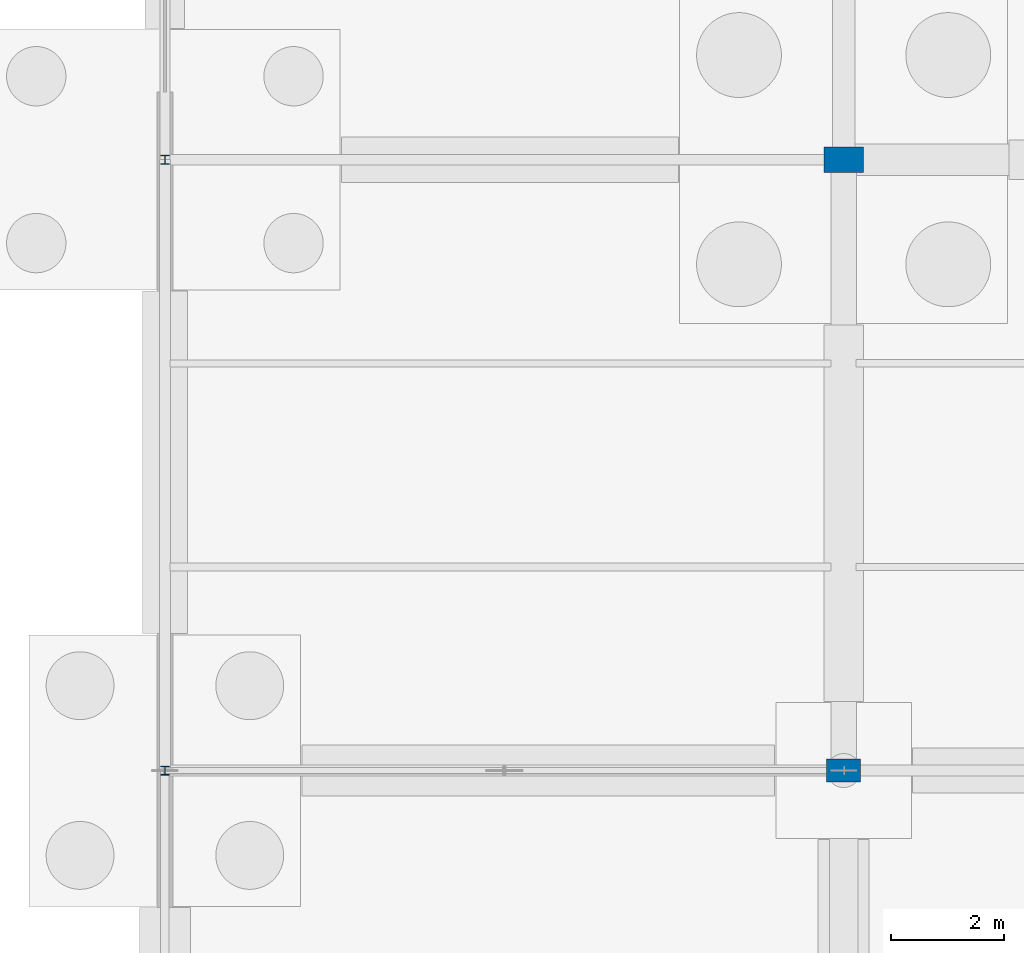
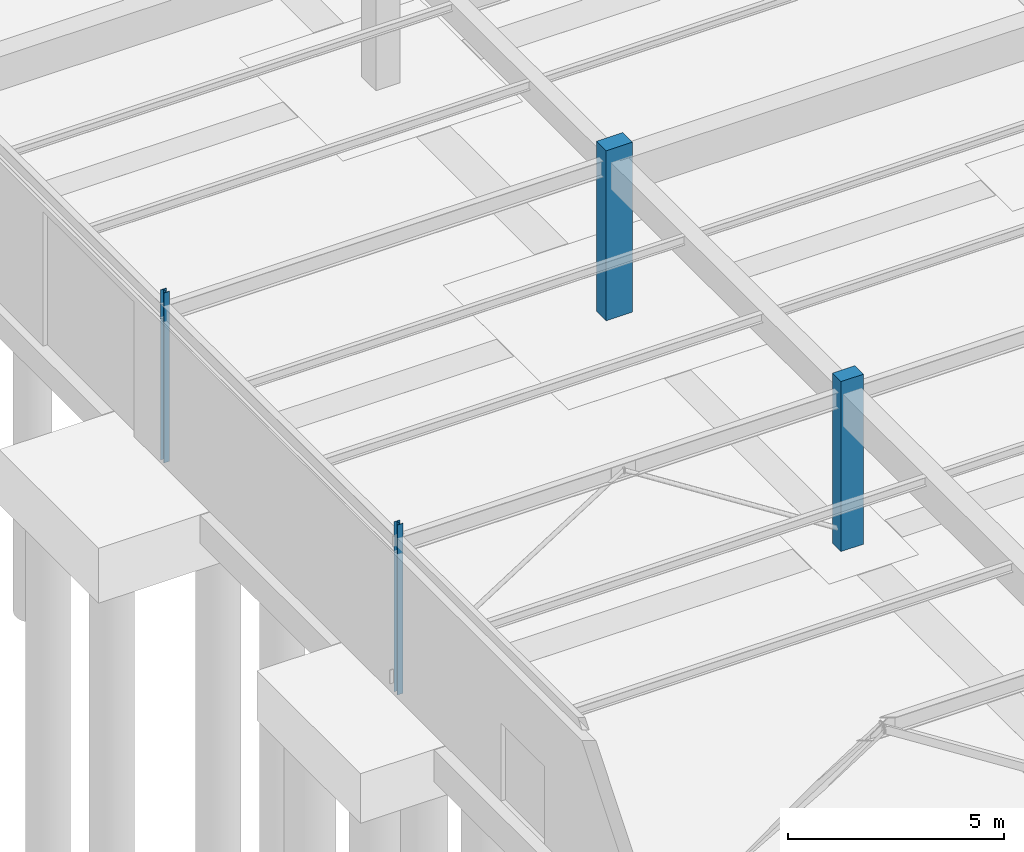
# One storey, part 30 of 136: 4 columns.
"""IFC4 building model written with IfcOpenShell, lengths in metres."""

from ifc_helpers import new_model, si_unit, direction, frame, origin, origin_2d, place, context, subcontext, project, spatial, rectangle, i_section, extrude, material, material_profile, profile_set, type_object, element, save


model = new_model("IFC4")

# Units and contexts
model_context = context("Model", 3, precision=1e-05, world=origin(), true_north=direction((0.0, 1.0)))
body_context = subcontext(model_context, "Body", "Model", "MODEL_VIEW")
ifc_project = project(units=[si_unit("LENGTHUNIT", "METRE"), si_unit("AREAUNIT", "SQUARE_METRE"), si_unit("VOLUMEUNIT", "CUBIC_METRE"), si_unit("PLANEANGLEUNIT", "RADIAN"), si_unit("MASSUNIT", "GRAM", prefix="KILO")], contexts=[model_context])

# Site, building, storey
site_placement = place(None, origin())
site = spatial("IfcSite", under=ifc_project, at=site_placement, CompositionType="ELEMENT")
building_placement = place(site_placement, origin())
building = spatial("IfcBuilding", under=site, at=building_placement, Name="Tarnwether General Hospital", CompositionType="ELEMENT")
storey_placement = place(building_placement, frame((0.0, 0.0, -4.800048828125)))
storey = spatial("IfcBuildingStorey", under=building, at=storey_placement, Name="LG", CompositionType="ELEMENT", Elevation=-4.800048828125)

# Columns
ifc_material_1 = material(Name="Concrete 50 MPa", Category="concrete")
ifc_material_profile_1 = material_profile(ifc_material_1, rectangle(XDim=0.39990234375, YDim=0.60009765625, at=origin_2d()), Name="RC-PIL-400x600")
ifc_profile_set_1 = profile_set([ifc_material_profile_1], Name="Concrete 50 MPa")
column_type_1 = type_object("IfcColumnType", Name="COL-21", PredefinedType="PILASTER", material=ifc_profile_set_1)
column_1_placement = place(storey_placement, frame((12.0, 93.60009765625, 0.0), z_axis=(0.0, 0.0, 1.0), x_axis=(0.0, 1.0, 0.0)))
element("IfcColumn", 1, at=column_1_placement, inside=storey, type_object=column_type_1, Name="Column COLG-LG-1200_9360", PredefinedType="PILASTER", context=body_context, shape_type="SweptSolid", body=[
    extrude(rectangle(XDim=0.39990234375, YDim=0.60009765625, at=origin_2d()), origin(), (0.0, 0.0, 1.0), 4.800048828125),
])
ifc_material_2 = material(Name="Concrete 50 MPa", Category="concrete")
ifc_material_profile_2 = material_profile(ifc_material_2, rectangle(XDim=0.449951171875, YDim=0.699951171875, at=origin_2d()), Name="RC-PIL-450x700")
ifc_profile_set_2 = profile_set([ifc_material_profile_2], Name="Concrete 50 MPa")
column_type_2 = type_object("IfcColumnType", Name="COL-22", PredefinedType="PILASTER", material=ifc_profile_set_2)
column_2_placement = place(storey_placement, frame((12.0, 104.39990234375, 0.0), z_axis=(0.0, 0.0, 1.0), x_axis=(0.0, 1.0, 0.0)))
element("IfcColumn", 2, at=column_2_placement, inside=storey, type_object=column_type_2, Name="Column COLG-LG-1200_10440", PredefinedType="PILASTER", context=body_context, shape_type="SweptSolid", body=[
    extrude(rectangle(XDim=0.449951171875, YDim=0.699951171875, at=origin_2d()), origin(), (0.0, 0.0, 1.0), 4.800048828125),
])
ifc_material_3 = material(Name="Steel Grade 350 (350 MPa)", Category="steel")
ifc_material_profile_3 = material_profile(ifc_material_3, i_section(OverallWidth=0.153076171875, OverallDepth=0.157958984375, WebThickness=0.006591796875, FlangeThickness=0.009521484375, at=origin_2d()), Name="150UC30.0")
ifc_profile_set_3 = profile_set([ifc_material_profile_3], Name="Steel Grade 350 (350 MPa)")
column_type_3 = type_object("IfcColumnType", Name="COL-31", PredefinedType="COLUMN", material=ifc_profile_set_3)
column_3_placement = place(storey_placement, frame((0.0, 93.60009765625, 0.0), z_axis=(0.0, 0.0, 1.0), x_axis=(1.0, 0.0, 0.0)))
element("IfcColumn", 3, at=column_3_placement, inside=storey, type_object=column_type_3, Name="Column COLG-LG-0_9360", PredefinedType="COLUMN", context=body_context, shape_type="SweptSolid", body=[
    extrude(i_section(OverallWidth=0.153076171875, OverallDepth=0.157958984375, WebThickness=0.006591796875, FlangeThickness=0.009521484375, at=origin_2d()), origin(), (0.0, 0.0, 1.0), 4.800048828125),
])
ifc_material_4 = material(Name="Steel Grade 350 (350 MPa)", Category="steel")
ifc_material_profile_4 = material_profile(ifc_material_4, i_section(OverallWidth=0.152099609375, OverallDepth=0.152099609375, WebThickness=0.006103515625, FlangeThickness=0.0068359375, at=origin_2d()), Name="150UC23.4")
ifc_profile_set_4 = profile_set([ifc_material_profile_4], Name="Steel Grade 350 (350 MPa)")
column_type_4 = type_object("IfcColumnType", Name="COL-32", PredefinedType="COLUMN", material=ifc_profile_set_4)
column_4_placement = place(storey_placement, frame((0.0, 104.39990234375, 0.0), z_axis=(0.0, 0.0, 1.0), x_axis=(1.0, 0.0, 0.0)))
element("IfcColumn", 4, at=column_4_placement, inside=storey, type_object=column_type_4, Name="Column COLG-LG-0_10440", PredefinedType="COLUMN", context=body_context, shape_type="SweptSolid", body=[
    extrude(i_section(OverallWidth=0.152099609375, OverallDepth=0.152099609375, WebThickness=0.006103515625, FlangeThickness=0.0068359375, at=origin_2d()), origin(), (0.0, 0.0, 1.0), 4.800048828125),
])

save(model, "model.ifc")
